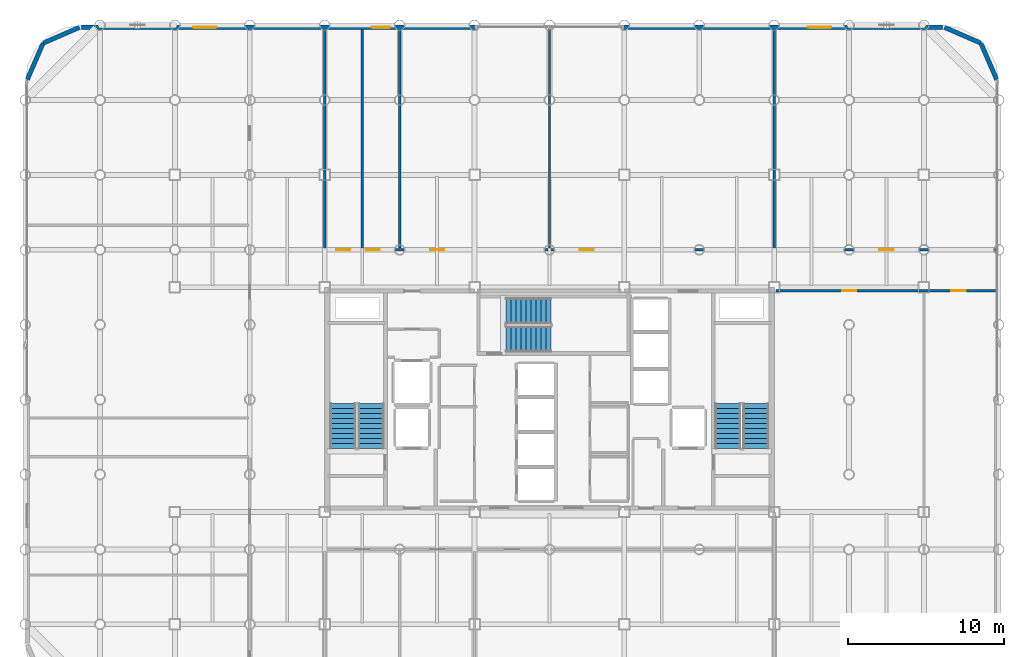
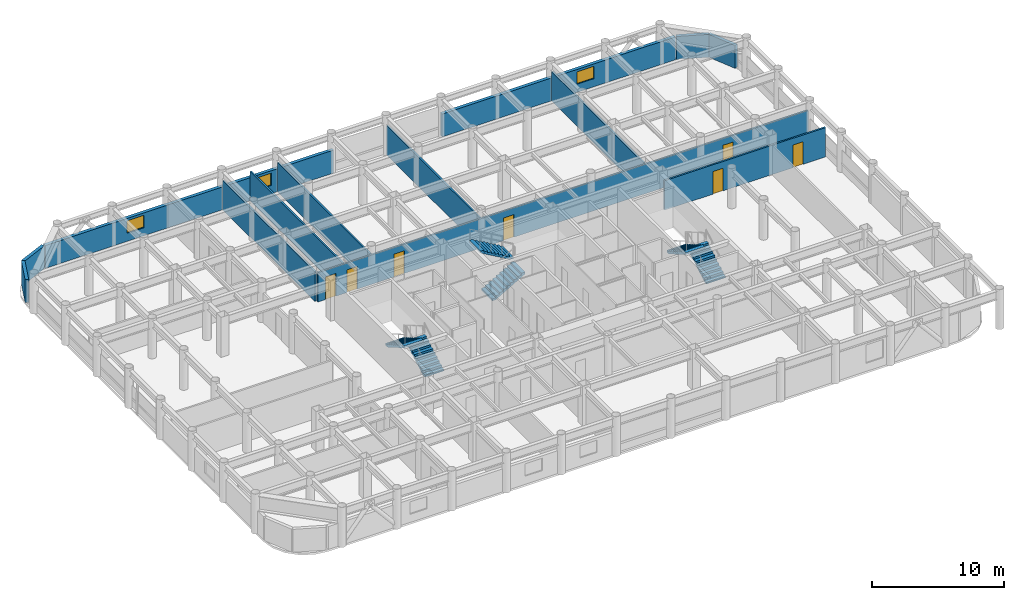
# One storey, part 18 of 19: 13 walls, 7 doors, 6 stair flights, 3 windows, 10 openings, 3 elements without a shape of their own.
"""IFC4 building model written with IfcOpenShell, lengths in metres."""

from ifc_helpers import new_model, si_unit, direction, frame, frame_2d, origin, place, context, subcontext, project, spatial, polyline, rectangle, outline, extrude, material, layer, layer_set, type_object, element, fill, aggregate, save


model = new_model("IFC4")

# Units and contexts
model_context = context("Model", 3, precision=1e-05, world=origin(), true_north=direction((0.0, 1.0)))
body_context = subcontext(model_context, "Body", "Model", "MODEL_VIEW")
ifc_project = project(units=[si_unit("LENGTHUNIT", "METRE"), si_unit("AREAUNIT", "SQUARE_METRE"), si_unit("VOLUMEUNIT", "CUBIC_METRE"), si_unit("PLANEANGLEUNIT", "RADIAN"), si_unit("MASSUNIT", "GRAM", prefix="KILO")], contexts=[model_context])

# Site, building, storey
site_placement = place(None, origin())
site = spatial("IfcSite", under=ifc_project, at=site_placement, CompositionType="ELEMENT")
building_placement = place(site_placement, origin())
building = spatial("IfcBuilding", under=site, at=building_placement, Name="Kallvorn Hotel Tower", CompositionType="ELEMENT")
storey_placement = place(building_placement, frame((0.0, 0.0, 147.0)))
storey = spatial("IfcBuildingStorey", under=building, at=storey_placement, Name="L36", CompositionType="ELEMENT", Elevation=147.0)

# Walls
ifc_material_1 = material(Name="Precast basalt-clad insulated concrete wall C40/50", Category="masonry")
ifc_layer_1 = layer(ifc_material_1, 0.280029296875)
ifc_layer_set_1 = layer_set([ifc_layer_1], Name="WL_EXT_LOGGIA_280")
wall_type_1 = type_object("IfcWallType", Name="WL_EXT_LOGGIA_280", PredefinedType="SOLIDWALL", material=ifc_layer_set_1)
wall_1_placement = place(storey_placement, frame((28.657958984375, 20.520751953125, 0.0), z_axis=(0.0, 0.0, 1.0), x_axis=(-0.398792985289, 0.917040977756, 0.0)))
element("IfcWall", 1, at=wall_1_placement, inside=storey, type_object=wall_type_1, Name="L36 Rounded Corner Exterior Wall NE1", PredefinedType="SOLIDWALL", context=body_context, shape_type="SweptSolid", body=[
    extrude(rectangle(XDim=2.536376953125, YDim=0.280029296875, at=frame_2d((1.26806640625, 0.0))), origin(), (0.0, 0.0, 1.0), 2.1201171875),
])
for number, where, z_axis, x_axis, name in (
    (2, (27.646484375, 22.8466796875, 0.0), (0.0, 0.0, 1.0), (-0.917060872934, 0.398747232384, 0.0), "L36 Rounded Corner Exterior Wall NE2"),
    (3, (-30.120849609375, 23.85791015625, 0.0), (0.0, 0.0, 1.0), (-0.917060872934, -0.398747232384, 0.0), "L36 Rounded Corner Exterior Wall NW1"),
):
    element("IfcWall", number, at=place(storey_placement, frame(where, z_axis=z_axis, x_axis=x_axis)), inside=storey, type_object=wall_type_1, Name=name, PredefinedType="SOLIDWALL", context=body_context, shape_type="SweptSolid", body=[
        extrude(rectangle(XDim=2.5361328125, YDim=0.280029296875, at=frame_2d((1.26806640625, 0.0))), origin(), (0.0, 0.0, 1.0), 2.1201171875),
    ])
wall_2_placement = place(storey_placement, frame((-32.446533203125, 22.8466796875, 0.0), z_axis=(0.0, 0.0, 1.0), x_axis=(-0.398792985289, -0.917040977756, 0.0)))
element("IfcWall", 4, at=wall_2_placement, inside=storey, type_object=wall_type_1, Name="L36 Rounded Corner Exterior Wall NW2", PredefinedType="SOLIDWALL", context=body_context, shape_type="SweptSolid", body=[
    extrude(rectangle(XDim=2.536376953125, YDim=0.280029296875, at=frame_2d((1.26806640625, 0.0))), origin(), (0.0, 0.0, 1.0), 2.1201171875),
])

# Wall, openings, windows
wall_3_placement = place(storey_placement, frame((-30.0, 23.860107421875, 0.0), z_axis=(0.0, 0.0, 1.0), x_axis=(1.0, 0.0, 0.0)))
wall_3 = element("IfcWall", 5, at=wall_3_placement, inside=storey, type_object=wall_type_1, Name="L36 Exterior Envelope Wall EW-L36-NW", PredefinedType="SOLIDWALL", context=body_context, shape_type="SweptSolid", body=[
    extrude(rectangle(XDim=25.25, YDim=0.280029296875, at=frame_2d((12.625, 0.0))), origin(), (0.0, 0.0, 1.0), 2.1201171875),
])
opening_1_placement = place(wall_3_placement, frame((7.1630859375, 0.0, 0.75)))
opening_1 = element("IfcOpeningElement", 6, at=opening_1_placement, cuts=wall_3, Name="Opening W05A", PredefinedType="OPENING", context=body_context, shape_type="SweptSolid", body=[
    extrude(rectangle(XDim=1.5, YDim=1.14990234375, at=frame_2d((0.75, 0.574951171875))), frame((0.0, 0.155029296875, 0.0), z_axis=(0.0, -1.0, 0.0), x_axis=(1.0, 0.0, 0.0)), (0.0, 0.0, 1.0), 0.31005859375),
])
opening_2_placement = place(wall_3_placement, frame((18.60009765625, 0.0, 0.75)))
opening_2 = element("IfcOpeningElement", 7, at=opening_2_placement, cuts=wall_3, Name="Opening W06A", PredefinedType="OPENING", context=body_context, shape_type="SweptSolid", body=[
    extrude(rectangle(XDim=1.199951171875, YDim=1.14990234375, at=frame_2d((0.60009765625, 0.574951171875))), frame((0.0, 0.155029296875, 0.0), z_axis=(0.0, -1.0, 0.0), x_axis=(1.0, 0.0, 0.0)), (0.0, 0.0, 1.0), 0.31005859375),
])
ifc_material_2 = material(Name="Triple-glazed low-e acoustic solar-control dark glass", Category="glass")
window_type_1 = type_object("IfcWindowType", Name="WN_HTL_1200x1150", PartitioningType="SINGLE_PANEL", PredefinedType="WINDOW", material=ifc_material_2)
window_1_placement = place(opening_2_placement, origin())
window_1 = element("IfcWindow", 8, at=window_1_placement, inside=storey, type_object=window_type_1, Name="L36 Guestroom Exterior Window 08", OverallHeight=1.14990234375, OverallWidth=1.199951171875, PartitioningType="SINGLE_PANEL", PredefinedType="WINDOW", context=body_context, shape_type="SweptSolid", body=[
    extrude(rectangle(XDim=1.199951171875, YDim=1.14990234375, at=frame_2d((0.60009765625, 0.574951171875))), frame((0.0, 0.030029296875, 0.0), z_axis=(0.0, -1.0, 0.0), x_axis=(1.0, 0.0, 0.0)), (0.0, 0.0, 1.0), 0.06005859375),
])
fill(opening_2, window_1)
ifc_material_3 = material(Name="Double-glazed low-e solar-control dark glass", Category="glass")
window_type_2 = type_object("IfcWindowType", Name="WN_HTL_1500x1150", PartitioningType="SINGLE_PANEL", PredefinedType="WINDOW", material=ifc_material_3)
window_2_placement = place(opening_1_placement, origin())
window_2 = element("IfcWindow", 9, at=window_2_placement, inside=storey, type_object=window_type_2, Name="L36 Guestroom Exterior Window 03", OverallHeight=1.14990234375, OverallWidth=1.5, PartitioningType="SINGLE_PANEL", PredefinedType="WINDOW", context=body_context, shape_type="SweptSolid", body=[
    extrude(rectangle(XDim=1.5, YDim=1.14990234375, at=frame_2d((0.75, 0.574951171875))), frame((0.0, 0.030029296875, 0.0), z_axis=(0.0, -1.0, 0.0), x_axis=(1.0, 0.0, 0.0)), (0.0, 0.0, 1.0), 0.06005859375),
])
fill(opening_1, window_2)

# Wall, opening, window
wall_4_placement = place(storey_placement, frame((4.75, 23.860107421875, 0.0), z_axis=(0.0, 0.0, 1.0), x_axis=(1.0, 0.0, 0.0)))
wall_4 = element("IfcWall", 10, at=wall_4_placement, inside=storey, type_object=wall_type_1, Name="L36 Exterior Envelope Wall EW-L36-NE", PredefinedType="SOLIDWALL", context=body_context, shape_type="SweptSolid", body=[
    extrude(rectangle(XDim=20.449951171875, YDim=0.280029296875, at=frame_2d((10.22509765625, 0.0))), origin(), (0.0, 0.0, 1.0), 2.1201171875),
])
opening_3_placement = place(wall_4_placement, frame((11.81689453125, 0.0, 0.75)))
opening_3 = element("IfcOpeningElement", 11, at=opening_3_placement, cuts=wall_4, Name="Opening W05A", PredefinedType="OPENING", context=body_context, shape_type="SweptSolid", body=[
    extrude(rectangle(XDim=1.5, YDim=1.14990234375, at=frame_2d((0.75, 0.574951171875))), frame((0.0, 0.155029296875, 0.0), z_axis=(0.0, -1.0, 0.0), x_axis=(1.0, 0.0, 0.0)), (0.0, 0.0, 1.0), 0.31005859375),
])
window_3_placement = place(opening_3_placement, origin())
window_3 = element("IfcWindow", 12, at=window_3_placement, inside=storey, type_object=window_type_2, Name="L36 Guestroom Exterior Window 04", OverallHeight=1.14990234375, OverallWidth=1.5, PartitioningType="SINGLE_PANEL", PredefinedType="WINDOW", context=body_context, shape_type="SweptSolid", body=[
    extrude(rectangle(XDim=1.5, YDim=1.14990234375, at=frame_2d((0.75, 0.574951171875))), frame((0.0, 0.030029296875, 0.0), z_axis=(0.0, -1.0, 0.0), x_axis=(1.0, 0.0, 0.0)), (0.0, 0.0, 1.0), 0.06005859375),
])
fill(opening_3, window_3)

# Wall, openings, doors
ifc_material_4 = material(Name="Fire-rated double-layer acoustic gypsum drywall EI 60")
ifc_layer_2 = layer(ifc_material_4, 0.14990234375)
ifc_layer_set_2 = layer_set([ifc_layer_2], Name="WL_PART_150")
wall_type_2 = type_object("IfcWallType", Name="WL_PART_150", PredefinedType="PARTITIONING", material=ifc_layer_set_2)
wall_5_placement = place(storey_placement, frame((14.52001953125, 6.97998046875, 0.0), z_axis=(0.0, 0.0, 1.0), x_axis=(1.0, 0.0, 0.0)))
wall_5 = element("IfcWall", 13, at=wall_5_placement, inside=storey, type_object=wall_type_2, Name="L36 L36 South-East Cocktail Bar Partition", PredefinedType="PARTITIONING", context=body_context, shape_type="SweptSolid", body=[
    extrude(rectangle(XDim=14.10986328125, YDim=0.14990234375, at=frame_2d((7.054931640625, 0.0))), origin(), (0.0, 0.0, 1.0), 2.719970703125),
])
opening_4_placement = place(wall_5_placement, frame((4.22998046875, 0.0, 0.0)))
opening_4 = element("IfcOpeningElement", 14, at=opening_4_placement, cuts=wall_5, Name="Opening SVD1", PredefinedType="OPENING", context=body_context, shape_type="SweptSolid", body=[
    extrude(rectangle(XDim=0.89990234375, YDim=2.10009765625, at=frame_2d((0.449951171875, 1.050048828125))), frame((0.0, 0.08984375, 0.0), z_axis=(0.0, -1.0, 0.0), x_axis=(1.0, 0.0, 0.0)), (0.0, 0.0, 1.0), 0.179931640625),
])
opening_5_placement = place(wall_5_placement, frame((11.2451171875, 0.0, 0.0)))
opening_5 = element("IfcOpeningElement", 15, at=opening_5_placement, cuts=wall_5, Name="Opening SVD1", PredefinedType="OPENING", context=body_context, shape_type="SweptSolid", body=[
    extrude(rectangle(XDim=0.89990234375, YDim=2.10009765625, at=frame_2d((0.449951171875, 1.050048828125))), frame((0.0, 0.08984375, 0.0), z_axis=(0.0, -1.0, 0.0), x_axis=(1.0, 0.0, 0.0)), (0.0, 0.0, 1.0), 0.179931640625),
])
ifc_material_5 = material(Name="Galvanised painted steel fire-rated door assembly", Category="steel")
door_type = type_object("IfcDoorType", Name="DR_SERV_900x2100", OperationType="NOTDEFINED", PredefinedType="DOOR", material=ifc_material_5)
door_1_placement = place(opening_4_placement, origin())
door_1 = element("IfcDoor", 16, at=door_1_placement, inside=storey, type_object=door_type, Name="L36 L36 South-East Cocktail Bar Door", OperationType="SINGLE_SWING_LEFT", OverallHeight=2.10009765625, OverallWidth=0.89990234375, PredefinedType="DOOR", context=body_context, shape_type="SweptSolid", body=[
    extrude(rectangle(XDim=0.89990234375, YDim=2.10009765625, at=frame_2d((0.449951171875, 1.050048828125))), frame((0.0, 0.02490234375, 0.0), z_axis=(0.0, -1.0, 0.0), x_axis=(1.0, 0.0, 0.0)), (0.0, 0.0, 1.0), 0.050048828125),
])
fill(opening_4, door_1)
door_2_placement = place(opening_5_placement, origin())
door_2 = element("IfcDoor", 17, at=door_2_placement, inside=storey, type_object=door_type, Name="L36 L36 Far-East Design Boutique Door", OperationType="SINGLE_SWING_RIGHT", OverallHeight=2.10009765625, OverallWidth=0.89990234375, PredefinedType="DOOR", context=body_context, shape_type="SweptSolid", body=[
    extrude(rectangle(XDim=0.89990234375, YDim=2.10009765625, at=frame_2d((0.449951171875, 1.050048828125))), frame((0.0, 0.02490234375, 0.0), z_axis=(0.0, -1.0, 0.0), x_axis=(1.0, 0.0, 0.0)), (0.0, 0.0, 1.0), 0.050048828125),
])
fill(opening_5, door_2)

wall_6_placement = place(storey_placement, frame((-14.320068359375, 9.60009765625, 0.0), z_axis=(0.0, 0.0, 1.0), x_axis=(1.0, 0.0, 0.0)))
wall_6 = element("IfcWall", 18, at=wall_6_placement, inside=storey, type_object=wall_type_2, Name="L36 Housekeeping and Linen Room Partition", PredefinedType="PARTITIONING", context=body_context, shape_type="SweptSolid", body=[
    extrude(rectangle(XDim=42.949951171875, YDim=0.14990234375, at=frame_2d((21.47509765625, 0.0))), origin(), (0.0, 0.0, 1.0), 2.719970703125),
])
opening_6_placement = place(wall_6_placement, frame((35.469970703125, 0.0, 0.0)))
opening_6 = element("IfcOpeningElement", 19, at=opening_6_placement, cuts=wall_6, Name="Opening SVD1", PredefinedType="OPENING", context=body_context, shape_type="SweptSolid", body=[
    extrude(rectangle(XDim=0.89990234375, YDim=2.10009765625, at=frame_2d((0.449951171875, 1.050048828125))), frame((0.0, 0.08984375, 0.0), z_axis=(0.0, -1.0, 0.0), x_axis=(1.0, 0.0, 0.0)), (0.0, 0.0, 1.0), 0.179931640625),
])
opening_7_placement = place(wall_6_placement, frame((0.669921875, 0.0, 0.0)))
opening_7 = element("IfcOpeningElement", 20, at=opening_7_placement, cuts=wall_6, Name="Opening SVD1", PredefinedType="OPENING", context=body_context, shape_type="SweptSolid", body=[
    extrude(rectangle(XDim=0.89990234375, YDim=2.10009765625, at=frame_2d((0.449951171875, 1.050048828125))), frame((0.0, 0.08984375, 0.0), z_axis=(0.0, -1.0, 0.0), x_axis=(1.0, 0.0, 0.0)), (0.0, 0.0, 1.0), 0.179931640625),
])
opening_8_placement = place(wall_6_placement, frame((2.56005859375, 0.0, 0.0)))
opening_8 = element("IfcOpeningElement", 21, at=opening_8_placement, cuts=wall_6, Name="Opening SVD1", PredefinedType="OPENING", context=body_context, shape_type="SweptSolid", body=[
    extrude(rectangle(XDim=0.89990234375, YDim=2.10009765625, at=frame_2d((0.449951171875, 1.050048828125))), frame((0.0, 0.08984375, 0.0), z_axis=(0.0, -1.0, 0.0), x_axis=(1.0, 0.0, 0.0)), (0.0, 0.0, 1.0), 0.179931640625),
])
opening_9_placement = place(wall_6_placement, frame((6.669921875, 0.0, 0.0)))
opening_9 = element("IfcOpeningElement", 22, at=opening_9_placement, cuts=wall_6, Name="Opening SVD1", PredefinedType="OPENING", context=body_context, shape_type="SweptSolid", body=[
    extrude(rectangle(XDim=0.89990234375, YDim=2.10009765625, at=frame_2d((0.449951171875, 1.050048828125))), frame((0.0, 0.08984375, 0.0), z_axis=(0.0, -1.0, 0.0), x_axis=(1.0, 0.0, 0.0)), (0.0, 0.0, 1.0), 0.179931640625),
])
opening_10_placement = place(wall_6_placement, frame((16.27001953125, 0.0, 0.0)))
opening_10 = element("IfcOpeningElement", 23, at=opening_10_placement, cuts=wall_6, Name="Opening SVD1", PredefinedType="OPENING", context=body_context, shape_type="SweptSolid", body=[
    extrude(rectangle(XDim=0.89990234375, YDim=2.10009765625, at=frame_2d((0.449951171875, 1.050048828125))), frame((0.0, 0.08984375, 0.0), z_axis=(0.0, -1.0, 0.0), x_axis=(1.0, 0.0, 0.0)), (0.0, 0.0, 1.0), 0.179931640625),
])
door_3_placement = place(opening_6_placement, origin())
door_3 = element("IfcDoor", 24, at=door_3_placement, inside=storey, type_object=door_type, Name="L36 L36 North-East Monserrate Banquet Hall Door", OperationType="SINGLE_SWING_LEFT", OverallHeight=2.10009765625, OverallWidth=0.89990234375, PredefinedType="DOOR", context=body_context, shape_type="SweptSolid", body=[
    extrude(rectangle(XDim=0.89990234375, YDim=2.10009765625, at=frame_2d((0.449951171875, 1.050048828125))), frame((0.0, 0.02490234375, 0.0), z_axis=(0.0, -1.0, 0.0), x_axis=(1.0, 0.0, 0.0)), (0.0, 0.0, 1.0), 0.050048828125),
])
fill(opening_6, door_3)
door_4_placement = place(opening_7_placement, origin())
door_4 = element("IfcDoor", 25, at=door_4_placement, inside=storey, type_object=door_type, Name="L36 Housekeeping and Linen Room Door", OperationType="SINGLE_SWING_LEFT", OverallHeight=2.10009765625, OverallWidth=0.89990234375, PredefinedType="DOOR", context=body_context, shape_type="SweptSolid", body=[
    extrude(rectangle(XDim=0.89990234375, YDim=2.10009765625, at=frame_2d((0.449951171875, 1.050048828125))), frame((0.0, 0.02490234375, 0.0), z_axis=(0.0, -1.0, 0.0), x_axis=(1.0, 0.0, 0.0)), (0.0, 0.0, 1.0), 0.050048828125),
])
fill(opening_7, door_4)
door_5_placement = place(opening_8_placement, origin())
door_5 = element("IfcDoor", 26, at=door_5_placement, inside=storey, type_object=door_type, Name="L36 Guest Tea and Refreshment Bar Door", OperationType="SINGLE_SWING_LEFT", OverallHeight=2.10009765625, OverallWidth=0.89990234375, PredefinedType="DOOR", context=body_context, shape_type="SweptSolid", body=[
    extrude(rectangle(XDim=0.89990234375, YDim=2.10009765625, at=frame_2d((0.449951171875, 1.050048828125))), frame((0.0, 0.02490234375, 0.0), z_axis=(0.0, -1.0, 0.0), x_axis=(1.0, 0.0, 0.0)), (0.0, 0.0, 1.0), 0.050048828125),
])
fill(opening_8, door_5)
door_6_placement = place(opening_9_placement, origin())
door_6 = element("IfcDoor", 27, at=door_6_placement, inside=storey, type_object=door_type, Name="L36 L36 Haute Couture Design Retail Shop 2 Door", OperationType="SINGLE_SWING_RIGHT", OverallHeight=2.10009765625, OverallWidth=0.89990234375, PredefinedType="DOOR", context=body_context, shape_type="SweptSolid", body=[
    extrude(rectangle(XDim=0.89990234375, YDim=2.10009765625, at=frame_2d((0.449951171875, 1.050048828125))), frame((0.0, 0.02490234375, 0.0), z_axis=(0.0, -1.0, 0.0), x_axis=(1.0, 0.0, 0.0)), (0.0, 0.0, 1.0), 0.050048828125),
])
fill(opening_9, door_6)
door_7_placement = place(opening_10_placement, origin())
door_7 = element("IfcDoor", 28, at=door_7_placement, inside=storey, type_object=door_type, Name="L36 L36 Panoramic Club Sky Lounge 3 Door", OperationType="SINGLE_SWING_RIGHT", OverallHeight=2.10009765625, OverallWidth=0.89990234375, PredefinedType="DOOR", context=body_context, shape_type="SweptSolid", body=[
    extrude(rectangle(XDim=0.89990234375, YDim=2.10009765625, at=frame_2d((0.449951171875, 1.050048828125))), frame((0.0, 0.02490234375, 0.0), z_axis=(0.0, -1.0, 0.0), x_axis=(1.0, 0.0, 0.0)), (0.0, 0.0, 1.0), 0.050048828125),
])
fill(opening_10, door_7)

# Walls
for number, where, z_axis, x_axis, name in (
    (29, (-14.39990234375, 9.719970703125, 0.0), (0.0, 0.0, 1.0), (0.0, 1.0, 0.0), "L36 Housekeeping and Linen Room Partition"),
    (30, (-12.0, 9.719970703125, 0.0), (0.0, 0.0, 1.0), (0.0, 1.0, 0.0), "L36 Guest Tea and Refreshment Bar Partition"),
    (31, (-9.60009765625, 9.719970703125, 0.0), (0.0, 0.0, 1.0), (0.0, 1.0, 0.0), "L36 Guest Tea and Refreshment Bar Partition"),
):
    element("IfcWall", number, at=place(storey_placement, frame(where, z_axis=z_axis, x_axis=x_axis)), inside=storey, type_object=wall_type_2, Name=name, PredefinedType="PARTITIONING", context=body_context, shape_type="SweptSolid", body=[
        extrude(rectangle(XDim=13.989990234375, YDim=0.14990234375, at=frame_2d((6.9951171875, 0.0))), origin(), (0.0, 0.0, 1.0), 2.719970703125),
    ])
wall_7_placement = place(storey_placement, frame((0.0, 9.719970703125, 0.0), z_axis=(0.0, 0.0, 1.0), x_axis=(0.0, 1.0, 0.0)))
element("IfcWall", 32, at=wall_7_placement, inside=storey, type_object=wall_type_2, Name="L36 L36 Haute Couture Design Retail Shop 2 Partition", PredefinedType="PARTITIONING", context=body_context, shape_type="SweptSolid", body=[
    extrude(rectangle(XDim=14.074951171875, YDim=0.14990234375, at=frame_2d((7.03759765625, 0.0))), origin(), (0.0, 0.0, 1.0), 2.719970703125),
])
wall_8_placement = place(storey_placement, frame((14.39990234375, 9.719970703125, 0.0), z_axis=(0.0, 0.0, 1.0), x_axis=(0.0, 1.0, 0.0)))
element("IfcWall", 33, at=wall_8_placement, inside=storey, type_object=wall_type_2, Name="L36 L36 North-East Monserrate Banquet Hall Partition", PredefinedType="PARTITIONING", context=body_context, shape_type="SweptSolid", body=[
    extrude(rectangle(XDim=13.989990234375, YDim=0.14990234375, at=frame_2d((6.9951171875, 0.0))), origin(), (0.0, 0.0, 1.0), 2.719970703125),
])

# Stair, stair flights
ifc_material_6 = material(Name="Precast concrete C40/50", Category="concrete")
stair_type = type_object("IfcStairType", Name="STR_CORE_DOGLEG", PredefinedType="HALF_TURN_STAIR", material=ifc_material_6)
stair_1_placement = place(storey_placement, origin())
stair_1 = element("IfcStair", 34, at=stair_1_placement, inside=storey, type_object=stair_type, Name="L36 Exit stair ST1", PredefinedType="HALF_TURN_STAIR")
ifc_material_7 = material(Name="Precast concrete C40/50", Category="concrete")
stair_flight_type = type_object("IfcStairFlightType", Name="FLT_CORE_1660", PredefinedType="STRAIGHT", material=ifc_material_7)
stair_flight_1_placement = place(storey_placement, frame((-11.429931640625, -3.139892578125, 0.0), z_axis=(0.0, 0.0, 1.0), x_axis=(0.0, 1.0, 0.0)))
stair_flight_1 = element("IfcStairFlight", 35, at=stair_flight_1_placement, type_object=stair_flight_type, Name="ST1 flight 1", NumberOfRisers=10, NumberOfTreads=9, PredefinedType="STRAIGHT", RiserHeight=0.185, TreadLength=0.32, context=body_context, shape_type="SweptSolid", body=[
    extrude(outline(polyline([(0.0, 0.0), (0.0, 0.18505859375), (0.320068359375, 0.18505859375), (0.320068359375, 0.3701171875), (0.639892578125, 0.3701171875), (0.639892578125, 0.554931640625), (0.9599609375, 0.554931640625), (0.9599609375, 0.739990234375), (1.280029296875, 0.739990234375), (1.280029296875, 0.925048828125), (1.60009765625, 0.925048828125), (1.60009765625, 1.110107421875), (1.919921875, 1.110107421875), (1.919921875, 1.294921875), (2.239990234375, 1.294921875), (2.239990234375, 1.47998046875), (2.56005859375, 1.47998046875), (2.56005859375, 1.6650390625), (2.8798828125, 1.6650390625), (2.8798828125, 1.85009765625), (2.8798828125, 1.491943359375), (0.299560546875, 0.0), (0.0, 0.0)])), frame((0.0, 0.830078125, 0.0), z_axis=(0.0, -1.0, 0.0), x_axis=(1.0, 0.0, 0.0)), (0.0, 0.0, 1.0), 1.659912109375),
])
stair_flight_2_placement = place(storey_placement, frame((-13.22998046875, -0.260009765625, 1.85009765625), z_axis=(0.0, 0.0, 1.0), x_axis=(0.0, -1.0, 0.0)))
stair_flight_2 = element("IfcStairFlight", 36, at=stair_flight_2_placement, type_object=stair_flight_type, Name="ST1 flight 2", NumberOfRisers=10, NumberOfTreads=9, PredefinedType="STRAIGHT", RiserHeight=0.185, TreadLength=0.32, context=body_context, shape_type="SweptSolid", body=[
    extrude(outline(polyline([(0.0, 0.0), (0.0, 0.18505859375), (0.320068359375, 0.18505859375), (0.320068359375, 0.3701171875), (0.639892578125, 0.3701171875), (0.639892578125, 0.554931640625), (0.9599609375, 0.554931640625), (0.9599609375, 0.739990234375), (1.280029296875, 0.739990234375), (1.280029296875, 0.925048828125), (1.60009765625, 0.925048828125), (1.60009765625, 1.110107421875), (1.919921875, 1.110107421875), (1.919921875, 1.294921875), (2.239990234375, 1.294921875), (2.239990234375, 1.47998046875), (2.56005859375, 1.47998046875), (2.56005859375, 1.6650390625), (2.8798828125, 1.6650390625), (2.8798828125, 1.85009765625), (2.8798828125, 1.491943359375), (0.299560546875, 0.0), (0.0, 0.0)])), frame((0.0, 0.830078125, 0.0), z_axis=(0.0, -1.0, 0.0), x_axis=(1.0, 0.0, 0.0)), (0.0, 0.0, 1.0), 1.659912109375),
])
aggregate(stair_1, [stair_flight_1, stair_flight_2])

stair_2_placement = place(storey_placement, origin())
stair_2 = element("IfcStair", 37, at=stair_2_placement, inside=storey, type_object=stair_type, Name="L36 Exit stair ST2", PredefinedType="HALF_TURN_STAIR")
stair_flight_3_placement = place(storey_placement, frame((13.22998046875, -3.139892578125, 0.0), z_axis=(0.0, 0.0, 1.0), x_axis=(0.0, 1.0, 0.0)))
stair_flight_3 = element("IfcStairFlight", 38, at=stair_flight_3_placement, type_object=stair_flight_type, Name="ST2 flight 1", NumberOfRisers=10, NumberOfTreads=9, PredefinedType="STRAIGHT", RiserHeight=0.185, TreadLength=0.32, context=body_context, shape_type="SweptSolid", body=[
    extrude(outline(polyline([(0.0, 0.0), (0.0, 0.18505859375), (0.320068359375, 0.18505859375), (0.320068359375, 0.3701171875), (0.639892578125, 0.3701171875), (0.639892578125, 0.554931640625), (0.9599609375, 0.554931640625), (0.9599609375, 0.739990234375), (1.280029296875, 0.739990234375), (1.280029296875, 0.925048828125), (1.60009765625, 0.925048828125), (1.60009765625, 1.110107421875), (1.919921875, 1.110107421875), (1.919921875, 1.294921875), (2.239990234375, 1.294921875), (2.239990234375, 1.47998046875), (2.56005859375, 1.47998046875), (2.56005859375, 1.6650390625), (2.8798828125, 1.6650390625), (2.8798828125, 1.85009765625), (2.8798828125, 1.491943359375), (0.299560546875, 0.0), (0.0, 0.0)])), frame((0.0, 0.830078125, 0.0), z_axis=(0.0, -1.0, 0.0), x_axis=(1.0, 0.0, 0.0)), (0.0, 0.0, 1.0), 1.659912109375),
])
stair_flight_4_placement = place(storey_placement, frame((11.429931640625, -0.260009765625, 1.85009765625), z_axis=(0.0, 0.0, 1.0), x_axis=(0.0, -1.0, 0.0)))
stair_flight_4 = element("IfcStairFlight", 39, at=stair_flight_4_placement, type_object=stair_flight_type, Name="ST2 flight 2", NumberOfRisers=10, NumberOfTreads=9, PredefinedType="STRAIGHT", RiserHeight=0.185, TreadLength=0.32, context=body_context, shape_type="SweptSolid", body=[
    extrude(outline(polyline([(0.0, 0.0), (0.0, 0.18505859375), (0.320068359375, 0.18505859375), (0.320068359375, 0.3701171875), (0.639892578125, 0.3701171875), (0.639892578125, 0.554931640625), (0.9599609375, 0.554931640625), (0.9599609375, 0.739990234375), (1.280029296875, 0.739990234375), (1.280029296875, 0.925048828125), (1.60009765625, 0.925048828125), (1.60009765625, 1.110107421875), (1.919921875, 1.110107421875), (1.919921875, 1.294921875), (2.239990234375, 1.294921875), (2.239990234375, 1.47998046875), (2.56005859375, 1.47998046875), (2.56005859375, 1.6650390625), (2.8798828125, 1.6650390625), (2.8798828125, 1.85009765625), (2.8798828125, 1.491943359375), (0.299560546875, 0.0), (0.0, 0.0)])), frame((0.0, 0.830078125, 0.0), z_axis=(0.0, -1.0, 0.0), x_axis=(1.0, 0.0, 0.0)), (0.0, 0.0, 1.0), 1.659912109375),
])
aggregate(stair_2, [stair_flight_3, stair_flight_4])

stair_3_placement = place(storey_placement, origin())
stair_3 = element("IfcStair", 40, at=stair_3_placement, inside=storey, type_object=stair_type, Name="L36 Exit stair ST3", PredefinedType="HALF_TURN_STAIR")
stair_flight_5_placement = place(storey_placement, frame((-2.7900390625, 3.8798828125, 0.0), z_axis=(0.0, 0.0, 1.0), x_axis=(1.0, 0.0, 0.0)))
stair_flight_5 = element("IfcStairFlight", 41, at=stair_flight_5_placement, type_object=stair_flight_type, Name="ST3 flight 1", NumberOfRisers=10, NumberOfTreads=9, PredefinedType="STRAIGHT", RiserHeight=0.185, TreadLength=0.32, context=body_context, shape_type="SweptSolid", body=[
    extrude(outline(polyline([(0.0, 0.0), (0.0, 0.18505859375), (0.320068359375, 0.18505859375), (0.320068359375, 0.3701171875), (0.639892578125, 0.3701171875), (0.639892578125, 0.554931640625), (0.9599609375, 0.554931640625), (0.9599609375, 0.739990234375), (1.280029296875, 0.739990234375), (1.280029296875, 0.925048828125), (1.60009765625, 0.925048828125), (1.60009765625, 1.110107421875), (1.919921875, 1.110107421875), (1.919921875, 1.294921875), (2.239990234375, 1.294921875), (2.239990234375, 1.47998046875), (2.56005859375, 1.47998046875), (2.56005859375, 1.6650390625), (2.8798828125, 1.6650390625), (2.8798828125, 1.85009765625), (2.8798828125, 1.491943359375), (0.299560546875, 0.0), (0.0, 0.0)])), frame((0.0, 0.830078125, 0.0), z_axis=(0.0, -1.0, 0.0), x_axis=(1.0, 0.0, 0.0)), (0.0, 0.0, 1.0), 1.659912109375),
])
stair_flight_6_placement = place(storey_placement, frame((0.090087890625, 5.679931640625, 1.85009765625), z_axis=(0.0, 0.0, 1.0), x_axis=(-1.0, 0.0, 0.0)))
stair_flight_6 = element("IfcStairFlight", 42, at=stair_flight_6_placement, type_object=stair_flight_type, Name="ST3 flight 2", NumberOfRisers=10, NumberOfTreads=9, PredefinedType="STRAIGHT", RiserHeight=0.185, TreadLength=0.32, context=body_context, shape_type="SweptSolid", body=[
    extrude(outline(polyline([(0.0, 0.0), (0.0, 0.18505859375), (0.320068359375, 0.18505859375), (0.320068359375, 0.3701171875), (0.639892578125, 0.3701171875), (0.639892578125, 0.554931640625), (0.9599609375, 0.554931640625), (0.9599609375, 0.739990234375), (1.280029296875, 0.739990234375), (1.280029296875, 0.925048828125), (1.60009765625, 0.925048828125), (1.60009765625, 1.110107421875), (1.919921875, 1.110107421875), (1.919921875, 1.294921875), (2.239990234375, 1.294921875), (2.239990234375, 1.47998046875), (2.56005859375, 1.47998046875), (2.56005859375, 1.6650390625), (2.8798828125, 1.6650390625), (2.8798828125, 1.85009765625), (2.8798828125, 1.491943359375), (0.299560546875, 0.0), (0.0, 0.0)])), frame((0.0, 0.830078125, 0.0), z_axis=(0.0, -1.0, 0.0), x_axis=(1.0, 0.0, 0.0)), (0.0, 0.0, 1.0), 1.659912109375),
])
aggregate(stair_3, [stair_flight_5, stair_flight_6])

save(model, "model.ifc")
